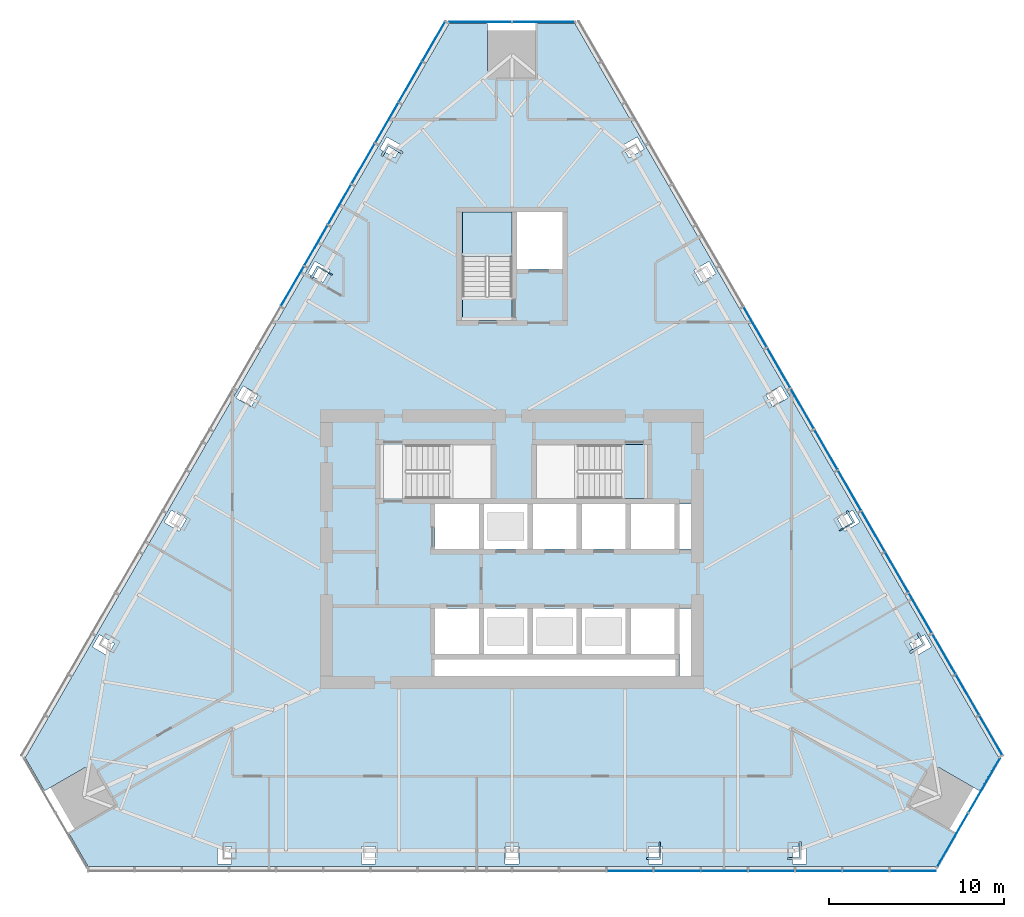
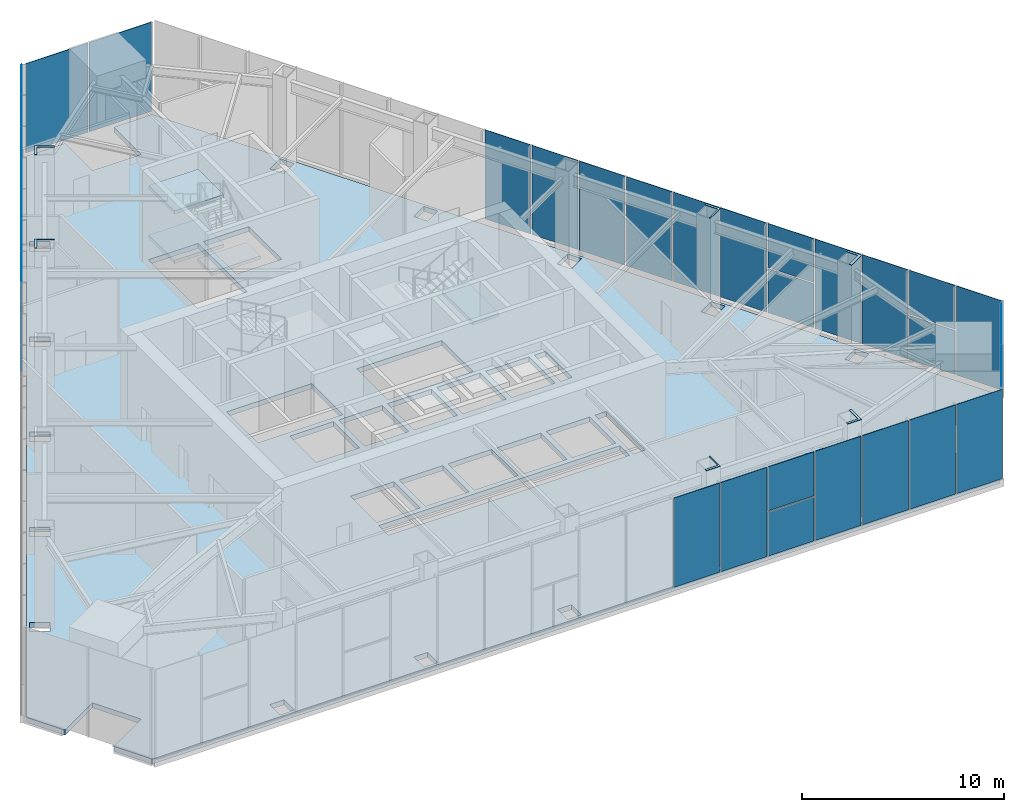
# One storey, part 9 of 16: 39 plates, 5 slabs, 7 elements without a shape of their own.
"""IFC4 building model written with IfcOpenShell, lengths in metres."""

from ifc_helpers import new_model, si_unit, direction, frame, origin, place, context, subcontext, project, spatial, polyline, outline, extrude, material, layer, layer_set, type_object, element, aggregate, save


model = new_model("IFC4")

# Units and contexts
model_context = context("Model", 3, precision=1e-05, world=origin(), true_north=direction((0.0, 1.0)))
body_context = subcontext(model_context, "Body", "Model", "MODEL_VIEW")
ifc_project = project(units=[si_unit("LENGTHUNIT", "METRE"), si_unit("AREAUNIT", "SQUARE_METRE"), si_unit("VOLUMEUNIT", "CUBIC_METRE"), si_unit("PLANEANGLEUNIT", "RADIAN"), si_unit("MASSUNIT", "GRAM", prefix="KILO")], contexts=[model_context])

# Site, building, storey
site_placement = place(None, origin())
site = spatial("IfcSite", under=ifc_project, at=site_placement, CompositionType="ELEMENT")
building_placement = place(site_placement, origin())
building = spatial("IfcBuilding", under=site, at=building_placement, Name="Firuza Gate Tower and Library", CompositionType="ELEMENT")
storey_placement = place(building_placement, frame((0.0, 0.0, 241.60009765625)))
storey = spatial("IfcBuildingStorey", under=building, at=storey_placement, Name="L57", CompositionType="ELEMENT", Elevation=241.60009765625)

# Plates
ifc_material_1 = material(Name="Steel S355", Category="steel")
ifc_layer_1 = layer(ifc_material_1, 0.030029296875)
ifc_layer_set_1 = layer_set([ifc_layer_1], Name="Column infill plate 30 Steel S355")
plate_type_1 = type_object("IfcPlateType", Name="Column infill plate 30 Steel S355", PredefinedType="SHEET", material=ifc_layer_set_1)
placement_1 = place(storey_placement, frame((0.0, 0.0, 6.0)))
element("IfcPlate", 1, at=placement_1, inside=storey, type_object=plate_type_1, Name="Infill plate L57:S4", PredefinedType="SHEET", context=body_context, shape_type="SweptSolid", body=[
    extrude(outline(polyline([(83.487548828125, 58.235107421875), (83.416748046875, 58.235107421875), (83.416748046875, 57.35791015625), (82.6875, 57.35791015625), (82.6875, 57.235107421875), (83.487548828125, 57.235107421875), (83.487548828125, 58.235107421875)])), origin(), (0.0, 0.0, 1.0), 0.02978515625),
])
element("IfcPlate", 2, at=placement_1, inside=storey, type_object=plate_type_1, Name="Infill plate L57:S5", PredefinedType="SHEET", context=body_context, shape_type="SweptSolid", body=[
    extrude(outline(polyline([(91.574951171875, 58.235107421875), (91.433349609375, 58.235107421875), (91.433349609375, 57.35791015625), (90.77490234375, 57.35791015625), (90.77490234375, 57.235107421875), (91.574951171875, 57.235107421875), (91.574951171875, 58.235107421875)])), origin(), (0.0, 0.0, 1.0), 0.02978515625),
])
element("IfcPlate", 3, at=placement_1, inside=storey, type_object=plate_type_1, Name="Infill plate L57:E1", PredefinedType="SHEET", context=body_context, shape_type="SweptSolid", body=[
    extrude(outline(polyline([(98.272216796875, 70.220947265625), (98.166015625, 70.15966796875), (98.495361328125, 69.58935546875), (97.7353515625, 69.150634765625), (97.80615234375, 69.028076171875), (98.67236328125, 69.528076171875), (98.272216796875, 70.220947265625)])), origin(), (0.0, 0.0, 1.0), 0.02978515625),
])
element("IfcPlate", 4, at=placement_1, inside=storey, type_object=plate_type_1, Name="Infill plate L57:E2", PredefinedType="SHEET", context=body_context, shape_type="SweptSolid", body=[
    extrude(outline(polyline([(94.228515625, 77.224853515625), (94.122314453125, 77.16357421875), (94.48681640625, 76.531982421875), (93.72705078125, 76.09326171875), (93.762451171875, 76.031982421875), (94.62841796875, 76.531982421875), (94.228515625, 77.224853515625)])), origin(), (0.0, 0.0, 1.0), 0.02978515625),
])
element("IfcPlate", 5, at=placement_1, inside=storey, type_object=plate_type_1, Name="Infill plate L57:W1", PredefinedType="SHEET", context=body_context, shape_type="SweptSolid", body=[
    extrude(outline(polyline([(67.502685546875, 97.5439453125), (67.60888671875, 97.482666015625), (67.93798828125, 98.052734375), (68.697998046875, 97.614013671875), (68.768798828125, 97.73681640625), (67.902587890625, 98.23681640625), (67.502685546875, 97.5439453125)])), origin(), (0.0, 0.0, 1.0), 0.02978515625),
])
element("IfcPlate", 6, at=placement_1, inside=storey, type_object=plate_type_1, Name="Infill plate L57:W2", PredefinedType="SHEET", context=body_context, shape_type="SweptSolid", body=[
    extrude(outline(polyline([(63.458984375, 90.5400390625), (63.565185546875, 90.478759765625), (63.9296875, 91.110107421875), (64.689453125, 90.67138671875), (64.724853515625, 90.732666015625), (63.85888671875, 91.232666015625), (63.458984375, 90.5400390625)])), origin(), (0.0, 0.0, 1.0), 0.02978515625),
])

# Slab
ifc_material_2 = material(Name="Concrete C40/50", Category="concrete")
ifc_layer_2 = layer(ifc_material_2, 0.300048828125)
ifc_layer_set_2 = layer_set([ifc_layer_2], Name="Composite floor slab 300 C40/50")
slab_type_1 = type_object("IfcSlabType", Name="Composite floor slab 300 C40/50", PredefinedType="FLOOR", material=ifc_layer_set_2)
slab_1_placement = place(storey_placement, frame((0.0, 0.0, -0.300048828125)))
element("IfcSlab", 7, at=slab_1_placement, inside=storey, type_object=slab_type_1, Name="Floor slab L57", PredefinedType="FLOOR", context=body_context, shape_type="SweptSolid", body=[
    extrude(outline(polyline([(99.262451171875, 56.835205078125), (100.3623046875, 58.740478515625), (98.00537109375, 60.101318359375), (99.4052734375, 62.526123046875), (101.762451171875, 61.165283203125), (102.8623046875, 63.070556640625), (78.60009765625, 105.09423828125), (76.39990234375, 105.09423828125), (76.39990234375, 102.37255859375), (73.60009765625, 102.37255859375), (73.60009765625, 105.09423828125), (71.39990234375, 105.09423828125), (47.1376953125, 63.070556640625), (48.237548828125, 61.165283203125), (50.5947265625, 62.526123046875), (51.99462890625, 60.101318359375), (49.6376953125, 58.740478515625), (50.737548828125, 56.835205078125), (99.262451171875, 56.835205078125)]), holes=[polyline([(58.14892578125, 56.99609375), (58.14892578125, 57.99609375), (58.948974609375, 57.99609375), (58.948974609375, 56.99609375), (58.14892578125, 56.99609375)]), polyline([(74.60009765625, 56.99609375), (74.60009765625, 57.99609375), (75.39990234375, 57.99609375), (75.39990234375, 56.99609375), (74.60009765625, 56.99609375)]), polyline([(66.37451171875, 56.99609375), (66.37451171875, 57.99609375), (67.174560546875, 57.99609375), (67.174560546875, 56.99609375), (66.37451171875, 56.99609375)]), polyline([(84.35009765625, 67.75), (70.550048828125, 67.75), (70.550048828125, 68.699951171875), (84.35009765625, 68.699951171875), (84.35009765625, 67.75)]), polyline([(51.382568359375, 70.101318359375), (52.24853515625, 69.601318359375), (51.8486328125, 68.908447265625), (50.982666015625, 69.408447265625), (51.382568359375, 70.101318359375)]), polyline([(73.10009765625, 69.0), (70.60009765625, 69.0), (70.60009765625, 71.60009765625), (73.10009765625, 71.60009765625), (73.10009765625, 69.0)]), polyline([(75.89990234375, 69.0), (73.39990234375, 69.0), (73.39990234375, 71.60009765625), (75.89990234375, 71.60009765625), (75.89990234375, 69.0)]), polyline([(73.10009765625, 75.0), (70.60009765625, 75.0), (70.60009765625, 77.60009765625), (73.10009765625, 77.60009765625), (73.10009765625, 75.0)]), polyline([(75.89990234375, 75.0), (73.39990234375, 75.0), (73.39990234375, 77.60009765625), (75.89990234375, 77.60009765625), (75.89990234375, 75.0)]), polyline([(55.495361328125, 77.224853515625), (56.361328125, 76.724853515625), (55.96142578125, 76.031982421875), (55.09521484375, 76.531982421875), (55.495361328125, 77.224853515625)]), polyline([(73.81005859375, 77.89990234375), (68.9404296875, 77.89990234375), (68.9404296875, 80.97998046875), (73.81005859375, 80.97998046875), (73.81005859375, 77.89990234375)]), polyline([(59.608154296875, 84.348388671875), (60.47412109375, 83.848388671875), (60.07421875, 83.155517578125), (59.2080078125, 83.655517578125), (59.608154296875, 84.348388671875)]), polyline([(63.720947265625, 91.471923828125), (64.5869140625, 90.971923828125), (64.18701171875, 90.279052734375), (63.32080078125, 90.779052734375), (63.720947265625, 91.471923828125)]), polyline([(72.159912109375, 89.470458984375), (72.159912109375, 94.300048828125), (75.0, 94.300048828125), (75.0, 89.470458984375), (72.159912109375, 89.470458984375)]), polyline([(75.300048828125, 91.050048828125), (75.300048828125, 94.300048828125), (77.89990234375, 94.300048828125), (77.89990234375, 91.050048828125), (75.300048828125, 91.050048828125)]), polyline([(68.69970703125, 98.095458984375), (68.299560546875, 97.402587890625), (67.43359375, 97.902587890625), (67.833740234375, 98.595458984375), (68.69970703125, 98.095458984375)]), polyline([(91.051025390625, 56.99609375), (91.051025390625, 57.99609375), (91.85107421875, 57.99609375), (91.85107421875, 56.99609375), (91.051025390625, 56.99609375)]), polyline([(82.825439453125, 56.99609375), (82.825439453125, 57.99609375), (83.62548828125, 57.99609375), (83.62548828125, 56.99609375), (82.825439453125, 56.99609375)]), polyline([(99.017333984375, 69.408447265625), (98.1513671875, 68.908447265625), (97.75146484375, 69.601318359375), (98.617431640625, 70.101318359375), (99.017333984375, 69.408447265625)]), polyline([(85.25, 67.75), (84.60009765625, 67.75), (84.60009765625, 71.60009765625), (85.25, 71.60009765625), (85.25, 67.75)]), polyline([(81.5, 69.0), (79.0, 69.0), (79.0, 71.60009765625), (81.5, 71.60009765625), (81.5, 69.0)]), polyline([(81.800048828125, 69.0), (81.800048828125, 71.60009765625), (84.300048828125, 71.60009765625), (84.300048828125, 69.0), (81.800048828125, 69.0)]), polyline([(76.199951171875, 69.0), (76.199951171875, 71.60009765625), (78.699951171875, 71.60009765625), (78.699951171875, 69.0), (76.199951171875, 69.0)]), polyline([(81.5, 75.0), (79.0, 75.0), (79.0, 77.60009765625), (81.5, 77.60009765625), (81.5, 75.0)]), polyline([(84.300048828125, 75.0), (81.800048828125, 75.0), (81.800048828125, 77.60009765625), (84.300048828125, 77.60009765625), (84.300048828125, 75.0)]), polyline([(85.25, 75.0), (84.60009765625, 75.0), (84.60009765625, 77.60009765625), (85.25, 77.60009765625), (85.25, 75.0)]), polyline([(78.699951171875, 75.0), (76.199951171875, 75.0), (76.199951171875, 77.60009765625), (78.699951171875, 77.60009765625), (78.699951171875, 75.0)]), polyline([(94.90478515625, 76.531982421875), (94.03857421875, 76.031982421875), (93.638671875, 76.724853515625), (94.504638671875, 77.224853515625), (94.90478515625, 76.531982421875)]), polyline([(81.259521484375, 77.89990234375), (76.389892578125, 77.89990234375), (76.389892578125, 80.97998046875), (81.259521484375, 80.97998046875), (81.259521484375, 77.89990234375)]), polyline([(90.7919921875, 83.655517578125), (89.92578125, 83.155517578125), (89.52587890625, 83.848388671875), (90.391845703125, 84.348388671875), (90.7919921875, 83.655517578125)]), polyline([(85.81298828125, 90.279052734375), (85.4130859375, 90.971923828125), (86.279052734375, 91.471923828125), (86.67919921875, 90.779052734375), (85.81298828125, 90.279052734375)]), polyline([(81.700439453125, 97.402587890625), (81.30029296875, 98.095458984375), (82.166259765625, 98.595458984375), (82.56640625, 97.902587890625), (81.700439453125, 97.402587890625)])]), origin(), (0.0, 0.0, 1.0), 0.300048828125),
])

# Curtain wall, plates
ifc_material_3 = material(Name="Aluminium 6063-T6", Category="aluminium")
ifc_layer_3 = layer(ifc_material_3, 0.14990234375)
ifc_layer_set_3 = layer_set([ifc_layer_3], Name="Corner curtain wall, chamfers")
curtain_wall_type_1 = type_object("IfcCurtainWallType", Name="Corner curtain wall, chamfers", PredefinedType="NOTDEFINED", material=ifc_layer_set_3)
placement_2 = place(storey_placement, origin())
curtain_wall_1 = element("IfcCurtainWall", 8, at=placement_2, inside=storey, type_object=curtain_wall_type_1, Name="CW4 L57 SE corner", PredefinedType="NOTDEFINED")
ifc_material_4 = material(Name="Fritted glass", Category="glass")
ifc_layer_4 = layer(ifc_material_4, 0.030029296875)
ifc_layer_set_4 = layer_set([ifc_layer_4], Name="Fritted glass unit, corners")
plate_type_2 = type_object("IfcPlateType", Name="Fritted glass unit, corners", PredefinedType="CURTAIN_PANEL", material=ifc_layer_set_4)
plate_7_placement = place(storey_placement, frame((99.338623046875, 56.787353515625, 0.14990234375), z_axis=(0.866016723041, -0.500015035186, 0.0), x_axis=(0.500015035186, 0.866016723041, 0.0)))
plate_7 = element("IfcPlate", 9, at=plate_7_placement, type_object=plate_type_2, Name="Glass unit", PredefinedType="CURTAIN_PANEL", context=body_context, shape_type="SweptSolid", body=[
    extrude(outline(polyline([(0.0, 0.0), (3.5633694106530625, 0.0), (3.5633694106530625, 5.39990234375), (0.0, 5.39990234375), (0.0, 0.0)])), origin(), (0.0, 0.0, -1.0), 0.030029296875),
])
plate_8_placement = place(storey_placement, frame((101.160400390625, 59.9423828125, 0.14990234375), z_axis=(0.866046390552, -0.49996364809, 0.0), x_axis=(0.49996364809, 0.866046390552, 0.0)))
plate_8 = element("IfcPlate", 10, at=plate_8_placement, type_object=plate_type_2, Name="Glass unit", PredefinedType="CURTAIN_PANEL", context=body_context, shape_type="SweptSolid", body=[
    extrude(outline(polyline([(0.0, 0.0), (3.563247342942594, 0.0), (3.563247342942594, 5.39990234375), (0.0, 5.39990234375), (0.0, 0.0)])), origin(), (0.0, 0.0, -1.0), 0.030029296875),
])
aggregate(curtain_wall_1, [plate_7, plate_8])

curtain_wall_2 = element("IfcCurtainWall", 11, at=placement_2, inside=storey, type_object=curtain_wall_type_1, Name="CW4 L57 N corner", PredefinedType="NOTDEFINED")
plate_9_placement = place(storey_placement, frame((78.603271484375, 105.184326171875, 0.14990234375), z_axis=(0.0, 1.0, 0.0), x_axis=(-1.0, 0.0, 0.0)))
plate_9 = element("IfcPlate", 12, at=plate_9_placement, type_object=plate_type_2, Name="Glass unit", PredefinedType="CURTAIN_PANEL", context=body_context, shape_type="SweptSolid", body=[
    extrude(outline(polyline([(0.0, 0.0), (3.563232421875, 0.0), (3.563232421875, 5.39990234375), (0.0, 5.39990234375), (0.0, 0.0)])), origin(), (0.0, 0.0, -1.0), 0.030029296875),
])
plate_10_placement = place(storey_placement, frame((74.9599609375, 105.184326171875, 0.14990234375), z_axis=(0.0, 1.0, 0.0), x_axis=(-1.0, 0.0, 0.0)))
plate_10 = element("IfcPlate", 13, at=plate_10_placement, type_object=plate_type_2, Name="Glass unit", PredefinedType="CURTAIN_PANEL", context=body_context, shape_type="SweptSolid", body=[
    extrude(outline(polyline([(0.0, 0.0), (3.563232421875, 0.0), (3.563232421875, 5.39990234375), (0.0, 5.39990234375), (0.0, 0.0)])), origin(), (0.0, 0.0, -1.0), 0.030029296875),
])
aggregate(curtain_wall_2, [plate_9, plate_10])

# Curtain wall, plate
ifc_material_5 = material(Name="Aluminium 6063-T6", Category="aluminium")
ifc_layer_5 = layer(ifc_material_5, 0.14990234375)
ifc_layer_set_5 = layer_set([ifc_layer_5], Name="Unitised curtain wall, hotel")
curtain_wall_type_2 = type_object("IfcCurtainWallType", Name="Unitised curtain wall, hotel", PredefinedType="NOTDEFINED", material=ifc_layer_set_5)
curtain_wall_3 = element("IfcCurtainWall", 14, at=placement_2, inside=storey, type_object=curtain_wall_type_2, Name="CW2 L57 S face", PredefinedType="NOTDEFINED")
ifc_material_6 = material(Name="Fritted glass", Category="glass")
ifc_layer_6 = layer(ifc_material_6, 0.030029296875)
ifc_layer_set_6 = layer_set([ifc_layer_6], Name="Fritted glass unit, hotel")
plate_type_3 = type_object("IfcPlateType", Name="Fritted glass unit, hotel", PredefinedType="CURTAIN_PANEL", material=ifc_layer_set_6)
plate_11_placement = place(storey_placement, frame((85.842529296875, 56.5751953125, 2.889892578125), z_axis=(0.0, -1.0, 0.0), x_axis=(1.0, 0.0, 0.0)))
plate_11 = element("IfcPlate", 15, at=plate_11_placement, type_object=plate_type_3, Name="Glass unit", PredefinedType="CURTAIN_PANEL", context=body_context, shape_type="SweptSolid", body=[
    extrude(outline(polyline([(0.0, 0.0), (2.62060546875, 0.0), (2.62060546875, 2.659912109375), (0.0, 2.659912109375), (0.0, 0.0)])), origin(), (0.0, 0.0, -1.0), 0.030029296875),
])

# Curtain wall, plates
curtain_wall_4 = element("IfcCurtainWall", 16, at=placement_2, inside=storey, type_object=curtain_wall_type_2, Name="CW2 L57 E face", PredefinedType="NOTDEFINED")
plate_12_placement = place(storey_placement, frame((101.739013671875, 65.53662109375, 2.889892578125), z_axis=(0.866027344229, 0.499996639036, 0.0), x_axis=(-0.499996639036, 0.866027344229, 0.0)))
plate_12 = element("IfcPlate", 17, at=plate_12_placement, type_object=plate_type_3, Name="Glass unit", PredefinedType="CURTAIN_PANEL", context=body_context, shape_type="SweptSolid", body=[
    extrude(outline(polyline([(0.0, 0.0), (2.6206230843898872, 0.0), (2.6206230843898872, 2.659912109375), (0.0, 2.659912109375), (0.0, 0.0)])), origin(), (0.0, 0.0, -1.0), 0.030029296875),
])
plate_13_placement = place(storey_placement, frame((97.68798828125, 72.552978515625, 2.889892578125), z_axis=(0.866027344229, 0.499996639036, 0.0), x_axis=(-0.499996639036, 0.866027344229, 0.0)))
plate_13 = element("IfcPlate", 18, at=plate_13_placement, type_object=plate_type_3, Name="Glass unit", PredefinedType="CURTAIN_PANEL", context=body_context, shape_type="SweptSolid", body=[
    extrude(outline(polyline([(0.0, 0.0), (2.6206230843898872, 0.0), (2.6206230843898872, 2.659912109375), (0.0, 2.659912109375), (0.0, 0.0)])), origin(), (0.0, 0.0, -1.0), 0.030029296875),
])

# Curtain wall, plate
curtain_wall_5 = element("IfcCurtainWall", 19, at=placement_2, inside=storey, type_object=curtain_wall_type_2, Name="CW2 L57 W face", PredefinedType="NOTDEFINED")
plate_14_placement = place(storey_placement, frame((69.826171875, 102.888427734375, 2.889892578125), z_axis=(-0.866027344229, 0.499996639036, 0.0), x_axis=(-0.499996639036, -0.866027344229, 0.0)))
plate_14 = element("IfcPlate", 20, at=plate_14_placement, type_object=plate_type_3, Name="Glass unit", PredefinedType="CURTAIN_PANEL", context=body_context, shape_type="SweptSolid", body=[
    extrude(outline(polyline([(0.0, 0.0), (2.6206230843898872, 0.0), (2.6206230843898872, 2.659912109375), (0.0, 2.659912109375), (0.0, 0.0)])), origin(), (0.0, 0.0, -1.0), 0.030029296875),
])

# Plate
ifc_material_7 = material(Name="Glazed ceramic tile")
ifc_layer_7 = layer(ifc_material_7, 0.030029296875)
ifc_layer_set_7 = layer_set([ifc_layer_7], Name="Opaque ceramic panel, hotel")
plate_type_4 = type_object("IfcPlateType", Name="Opaque ceramic panel, hotel", PredefinedType="CURTAIN_PANEL", material=ifc_layer_set_7)
plate_15_placement = place(storey_placement, frame((80.441162109375, 56.5751953125, 0.14990234375), z_axis=(0.0, -1.0, 0.0), x_axis=(1.0, 0.0, 0.0)))
plate_15 = element("IfcPlate", 21, at=plate_15_placement, type_object=plate_type_4, Name="Opaque ceramic panel", PredefinedType="CURTAIN_PANEL", context=body_context, shape_type="SweptSolid", body=[
    extrude(outline(polyline([(0.0, 0.0), (2.620849609375, 0.0), (2.620849609375, 5.39990234375), (0.0, 5.39990234375), (0.0, 0.0)])), origin(), (0.0, 0.0, -1.0), 0.030029296875),
])

plate_16_placement = place(storey_placement, frame((83.141845703125, 56.5751953125, 0.14990234375), z_axis=(0.0, -1.0, 0.0), x_axis=(1.0, 0.0, 0.0)))
plate_16 = element("IfcPlate", 22, at=plate_16_placement, type_object=plate_type_4, Name="Opaque ceramic panel", PredefinedType="CURTAIN_PANEL", context=body_context, shape_type="SweptSolid", body=[
    extrude(outline(polyline([(0.0, 0.0), (2.62060546875, 0.0), (2.62060546875, 5.39990234375), (0.0, 5.39990234375), (0.0, 0.0)])), origin(), (0.0, 0.0, -1.0), 0.030029296875),
])

plate_17_placement = place(storey_placement, frame((85.842529296875, 56.5751953125, 0.14990234375), z_axis=(0.0, -1.0, 0.0), x_axis=(1.0, 0.0, 0.0)))
plate_17 = element("IfcPlate", 23, at=plate_17_placement, type_object=plate_type_4, Name="Opaque ceramic panel", PredefinedType="CURTAIN_PANEL", context=body_context, shape_type="SweptSolid", body=[
    extrude(outline(polyline([(0.0, 0.0), (2.62060546875, 0.0), (2.62060546875, 2.659912109375), (0.0, 2.659912109375), (0.0, 0.0)])), origin(), (0.0, 0.0, -1.0), 0.030029296875),
])

plate_18_placement = place(storey_placement, frame((88.543212890625, 56.5751953125, 0.14990234375), z_axis=(0.0, -1.0, 0.0), x_axis=(1.0, 0.0, 0.0)))
plate_18 = element("IfcPlate", 24, at=plate_18_placement, type_object=plate_type_4, Name="Opaque ceramic panel", PredefinedType="CURTAIN_PANEL", context=body_context, shape_type="SweptSolid", body=[
    extrude(outline(polyline([(0.0, 0.0), (2.62060546875, 0.0), (2.62060546875, 5.39990234375), (0.0, 5.39990234375), (0.0, 0.0)])), origin(), (0.0, 0.0, -1.0), 0.030029296875),
])

plate_19_placement = place(storey_placement, frame((91.243896484375, 56.5751953125, 0.14990234375), z_axis=(0.0, -1.0, 0.0), x_axis=(1.0, 0.0, 0.0)))
plate_19 = element("IfcPlate", 25, at=plate_19_placement, type_object=plate_type_4, Name="Opaque ceramic panel", PredefinedType="CURTAIN_PANEL", context=body_context, shape_type="SweptSolid", body=[
    extrude(outline(polyline([(0.0, 0.0), (2.62060546875, 0.0), (2.62060546875, 5.39990234375), (0.0, 5.39990234375), (0.0, 0.0)])), origin(), (0.0, 0.0, -1.0), 0.030029296875),
])

plate_20_placement = place(storey_placement, frame((93.9443359375, 56.5751953125, 0.14990234375), z_axis=(0.0, -1.0, 0.0), x_axis=(1.0, 0.0, 0.0)))
plate_20 = element("IfcPlate", 26, at=plate_20_placement, type_object=plate_type_4, Name="Opaque ceramic panel", PredefinedType="CURTAIN_PANEL", context=body_context, shape_type="SweptSolid", body=[
    extrude(outline(polyline([(0.0, 0.0), (2.620849609375, 0.0), (2.620849609375, 5.39990234375), (0.0, 5.39990234375), (0.0, 0.0)])), origin(), (0.0, 0.0, -1.0), 0.030029296875),
])

plate_21_placement = place(storey_placement, frame((96.64501953125, 56.5751953125, 0.14990234375), z_axis=(0.0, -1.0, 0.0), x_axis=(1.0, 0.0, 0.0)))
plate_21 = element("IfcPlate", 27, at=plate_21_placement, type_object=plate_type_4, Name="Opaque ceramic panel", PredefinedType="CURTAIN_PANEL", context=body_context, shape_type="SweptSolid", body=[
    extrude(outline(polyline([(0.0, 0.0), (2.62060546875, 0.0), (2.62060546875, 5.39990234375), (0.0, 5.39990234375), (0.0, 0.0)])), origin(), (0.0, 0.0, -1.0), 0.030029296875),
])

aggregate(curtain_wall_3, [plate_15, plate_16, plate_17, plate_11, plate_18, plate_19, plate_20, plate_21])

plate_22_placement = place(storey_placement, frame((103.08935546875, 63.19775390625, 0.14990234375), z_axis=(0.865987003449, 0.500066505434, 0.0), x_axis=(-0.500066505434, 0.865987003449, 0.0)))
plate_22 = element("IfcPlate", 28, at=plate_22_placement, type_object=plate_type_4, Name="Opaque ceramic panel", PredefinedType="CURTAIN_PANEL", context=body_context, shape_type="SweptSolid", body=[
    extrude(outline(polyline([(0.0, 0.0), (2.620745162410651, 0.0), (2.620745162410651, 5.39990234375), (0.0, 5.39990234375), (0.0, 0.0)])), origin(), (0.0, 0.0, -1.0), 0.030029296875),
])

plate_23_placement = place(storey_placement, frame((101.739013671875, 65.53662109375, 0.14990234375), z_axis=(0.866027344229, 0.499996639036, 0.0), x_axis=(-0.499996639036, 0.866027344229, 0.0)))
plate_23 = element("IfcPlate", 29, at=plate_23_placement, type_object=plate_type_4, Name="Opaque ceramic panel", PredefinedType="CURTAIN_PANEL", context=body_context, shape_type="SweptSolid", body=[
    extrude(outline(polyline([(0.0, 0.0), (2.6206230843898872, 0.0), (2.6206230843898872, 2.659912109375), (0.0, 2.659912109375), (0.0, 0.0)])), origin(), (0.0, 0.0, -1.0), 0.030029296875),
])

plate_24_placement = place(storey_placement, frame((100.388671875, 67.875244140625, 0.14990234375), z_axis=(0.866027344229, 0.499996639036, 0.0), x_axis=(-0.499996639036, 0.866027344229, 0.0)))
plate_24 = element("IfcPlate", 30, at=plate_24_placement, type_object=plate_type_4, Name="Opaque ceramic panel", PredefinedType="CURTAIN_PANEL", context=body_context, shape_type="SweptSolid", body=[
    extrude(outline(polyline([(0.0, 0.0), (2.6206230843898872, 0.0), (2.6206230843898872, 5.39990234375), (0.0, 5.39990234375), (0.0, 0.0)])), origin(), (0.0, 0.0, -1.0), 0.030029296875),
])

plate_25_placement = place(storey_placement, frame((99.038330078125, 70.214111328125, 0.14990234375), z_axis=(0.866027344229, 0.499996639036, 0.0), x_axis=(-0.499996639036, 0.866027344229, 0.0)))
plate_25 = element("IfcPlate", 31, at=plate_25_placement, type_object=plate_type_4, Name="Opaque ceramic panel", PredefinedType="CURTAIN_PANEL", context=body_context, shape_type="SweptSolid", body=[
    extrude(outline(polyline([(0.0, 0.0), (2.6206230843898872, 0.0), (2.6206230843898872, 5.39990234375), (0.0, 5.39990234375), (0.0, 0.0)])), origin(), (0.0, 0.0, -1.0), 0.030029296875),
])

plate_26_placement = place(storey_placement, frame((97.68798828125, 72.552978515625, 0.14990234375), z_axis=(0.866027344229, 0.499996639036, 0.0), x_axis=(-0.499996639036, 0.866027344229, 0.0)))
plate_26 = element("IfcPlate", 32, at=plate_26_placement, type_object=plate_type_4, Name="Opaque ceramic panel", PredefinedType="CURTAIN_PANEL", context=body_context, shape_type="SweptSolid", body=[
    extrude(outline(polyline([(0.0, 0.0), (2.6206230843898872, 0.0), (2.6206230843898872, 2.659912109375), (0.0, 2.659912109375), (0.0, 0.0)])), origin(), (0.0, 0.0, -1.0), 0.030029296875),
])

plate_27_placement = place(storey_placement, frame((96.337646484375, 74.891845703125, 0.14990234375), z_axis=(0.866027344229, 0.499996639036, 0.0), x_axis=(-0.499996639036, 0.866027344229, 0.0)))
plate_27 = element("IfcPlate", 33, at=plate_27_placement, type_object=plate_type_4, Name="Opaque ceramic panel", PredefinedType="CURTAIN_PANEL", context=body_context, shape_type="SweptSolid", body=[
    extrude(outline(polyline([(0.0, 0.0), (2.6206230843898872, 0.0), (2.6206230843898872, 5.39990234375), (0.0, 5.39990234375), (0.0, 0.0)])), origin(), (0.0, 0.0, -1.0), 0.030029296875),
])

plate_28_placement = place(storey_placement, frame((94.9873046875, 77.230712890625, 0.14990234375), z_axis=(0.866027344229, 0.499996639036, 0.0), x_axis=(-0.499996639036, 0.866027344229, 0.0)))
plate_28 = element("IfcPlate", 34, at=plate_28_placement, type_object=plate_type_4, Name="Opaque ceramic panel", PredefinedType="CURTAIN_PANEL", context=body_context, shape_type="SweptSolid", body=[
    extrude(outline(polyline([(0.0, 0.0), (2.6206230843898872, 0.0), (2.6206230843898872, 5.39990234375), (0.0, 5.39990234375), (0.0, 0.0)])), origin(), (0.0, 0.0, -1.0), 0.030029296875),
])

plate_29_placement = place(storey_placement, frame((93.636962890625, 79.5693359375, 0.14990234375), z_axis=(0.866027344229, 0.499996639036, 0.0), x_axis=(-0.499996639036, 0.866027344229, 0.0)))
plate_29 = element("IfcPlate", 35, at=plate_29_placement, type_object=plate_type_4, Name="Opaque ceramic panel", PredefinedType="CURTAIN_PANEL", context=body_context, shape_type="SweptSolid", body=[
    extrude(outline(polyline([(0.0, 0.0), (2.6206230843898872, 0.0), (2.6206230843898872, 5.39990234375), (0.0, 5.39990234375), (0.0, 0.0)])), origin(), (0.0, 0.0, -1.0), 0.030029296875),
])

plate_30_placement = place(storey_placement, frame((92.28662109375, 81.908203125, 0.14990234375), z_axis=(0.866027344229, 0.499996639036, 0.0), x_axis=(-0.499996639036, 0.866027344229, 0.0)))
plate_30 = element("IfcPlate", 36, at=plate_30_placement, type_object=plate_type_4, Name="Opaque ceramic panel", PredefinedType="CURTAIN_PANEL", context=body_context, shape_type="SweptSolid", body=[
    extrude(outline(polyline([(0.0, 0.0), (2.6206230843898872, 0.0), (2.6206230843898872, 5.39990234375), (0.0, 5.39990234375), (0.0, 0.0)])), origin(), (0.0, 0.0, -1.0), 0.030029296875),
])

plate_31_placement = place(storey_placement, frame((90.936279296875, 84.2470703125, 0.14990234375), z_axis=(0.866027344229, 0.499996639036, 0.0), x_axis=(-0.499996639036, 0.866027344229, 0.0)))
plate_31 = element("IfcPlate", 37, at=plate_31_placement, type_object=plate_type_4, Name="Opaque ceramic panel", PredefinedType="CURTAIN_PANEL", context=body_context, shape_type="SweptSolid", body=[
    extrude(outline(polyline([(0.0, 0.0), (2.6206230843898872, 0.0), (2.6206230843898872, 5.39990234375), (0.0, 5.39990234375), (0.0, 0.0)])), origin(), (0.0, 0.0, -1.0), 0.030029296875),
])

plate_32_placement = place(storey_placement, frame((89.5859375, 86.5859375, 0.14990234375), z_axis=(0.866027344229, 0.499996639036, 0.0), x_axis=(-0.499996639036, 0.866027344229, 0.0)))
plate_32 = element("IfcPlate", 38, at=plate_32_placement, type_object=plate_type_4, Name="Opaque ceramic panel", PredefinedType="CURTAIN_PANEL", context=body_context, shape_type="SweptSolid", body=[
    extrude(outline(polyline([(0.0, 0.0), (2.6206230843898872, 0.0), (2.6206230843898872, 5.39990234375), (0.0, 5.39990234375), (0.0, 0.0)])), origin(), (0.0, 0.0, -1.0), 0.030029296875),
])

aggregate(curtain_wall_4, [plate_22, plate_23, plate_12, plate_24, plate_25, plate_26, plate_13, plate_27, plate_28, plate_29, plate_30, plate_31, plate_32])

plate_33_placement = place(storey_placement, frame((71.176513671875, 105.22705078125, 0.14990234375), z_axis=(-0.866027344229, 0.499996639036, 0.0), x_axis=(-0.499996639036, -0.866027344229, 0.0)))
plate_33 = element("IfcPlate", 39, at=plate_33_placement, type_object=plate_type_4, Name="Opaque ceramic panel", PredefinedType="CURTAIN_PANEL", context=body_context, shape_type="SweptSolid", body=[
    extrude(outline(polyline([(0.0, 0.0), (2.6206230843898872, 0.0), (2.6206230843898872, 5.39990234375), (0.0, 5.39990234375), (0.0, 0.0)])), origin(), (0.0, 0.0, -1.0), 0.030029296875),
])

plate_34_placement = place(storey_placement, frame((69.826171875, 102.888427734375, 0.14990234375), z_axis=(-0.866027344229, 0.499996639036, 0.0), x_axis=(-0.499996639036, -0.866027344229, 0.0)))
plate_34 = element("IfcPlate", 40, at=plate_34_placement, type_object=plate_type_4, Name="Opaque ceramic panel", PredefinedType="CURTAIN_PANEL", context=body_context, shape_type="SweptSolid", body=[
    extrude(outline(polyline([(0.0, 0.0), (2.6206230843898872, 0.0), (2.6206230843898872, 2.659912109375), (0.0, 2.659912109375), (0.0, 0.0)])), origin(), (0.0, 0.0, -1.0), 0.030029296875),
])

plate_35_placement = place(storey_placement, frame((68.475830078125, 100.549560546875, 0.14990234375), z_axis=(-0.866027344229, 0.499996639036, 0.0), x_axis=(-0.499996639036, -0.866027344229, 0.0)))
plate_35 = element("IfcPlate", 41, at=plate_35_placement, type_object=plate_type_4, Name="Opaque ceramic panel", PredefinedType="CURTAIN_PANEL", context=body_context, shape_type="SweptSolid", body=[
    extrude(outline(polyline([(0.0, 0.0), (2.6206230843898872, 0.0), (2.6206230843898872, 5.39990234375), (0.0, 5.39990234375), (0.0, 0.0)])), origin(), (0.0, 0.0, -1.0), 0.030029296875),
])

plate_36_placement = place(storey_placement, frame((67.12548828125, 98.210693359375, 0.14990234375), z_axis=(-0.866027344229, 0.499996639036, 0.0), x_axis=(-0.499996639036, -0.866027344229, 0.0)))
plate_36 = element("IfcPlate", 42, at=plate_36_placement, type_object=plate_type_4, Name="Opaque ceramic panel", PredefinedType="CURTAIN_PANEL", context=body_context, shape_type="SweptSolid", body=[
    extrude(outline(polyline([(0.0, 0.0), (2.6206230843898872, 0.0), (2.6206230843898872, 5.39990234375), (0.0, 5.39990234375), (0.0, 0.0)])), origin(), (0.0, 0.0, -1.0), 0.030029296875),
])

plate_37_placement = place(storey_placement, frame((65.775146484375, 95.871826171875, 0.14990234375), z_axis=(-0.866027344229, 0.499996639036, 0.0), x_axis=(-0.499996639036, -0.866027344229, 0.0)))
plate_37 = element("IfcPlate", 43, at=plate_37_placement, type_object=plate_type_4, Name="Opaque ceramic panel", PredefinedType="CURTAIN_PANEL", context=body_context, shape_type="SweptSolid", body=[
    extrude(outline(polyline([(0.0, 0.0), (2.6206230843898872, 0.0), (2.6206230843898872, 5.39990234375), (0.0, 5.39990234375), (0.0, 0.0)])), origin(), (0.0, 0.0, -1.0), 0.030029296875),
])

plate_38_placement = place(storey_placement, frame((64.4248046875, 93.532958984375, 0.14990234375), z_axis=(-0.866027344229, 0.499996639036, 0.0), x_axis=(-0.499996639036, -0.866027344229, 0.0)))
plate_38 = element("IfcPlate", 44, at=plate_38_placement, type_object=plate_type_4, Name="Opaque ceramic panel", PredefinedType="CURTAIN_PANEL", context=body_context, shape_type="SweptSolid", body=[
    extrude(outline(polyline([(0.0, 0.0), (2.6206230843898872, 0.0), (2.6206230843898872, 5.39990234375), (0.0, 5.39990234375), (0.0, 0.0)])), origin(), (0.0, 0.0, -1.0), 0.030029296875),
])

plate_39_placement = place(storey_placement, frame((63.074462890625, 91.1943359375, 0.14990234375), z_axis=(-0.866027344229, 0.499996639036, 0.0), x_axis=(-0.499996639036, -0.866027344229, 0.0)))
plate_39 = element("IfcPlate", 45, at=plate_39_placement, type_object=plate_type_4, Name="Opaque ceramic panel", PredefinedType="CURTAIN_PANEL", context=body_context, shape_type="SweptSolid", body=[
    extrude(outline(polyline([(0.0, 0.0), (2.6206230843898872, 0.0), (2.6206230843898872, 5.39990234375), (0.0, 5.39990234375), (0.0, 0.0)])), origin(), (0.0, 0.0, -1.0), 0.030029296875),
])

aggregate(curtain_wall_5, [plate_33, plate_34, plate_14, plate_35, plate_36, plate_37, plate_38, plate_39])

# Stair, slab
ifc_material_8 = material(Name="Concrete C35/45", Category="concrete")
stair_type_1 = type_object("IfcStairType", Name="Exit stair ST6", PredefinedType="HALF_TURN_STAIR", material=ifc_material_8)
stair_1 = element("IfcStair", 46, at=placement_2, inside=storey, type_object=stair_type_1, Name="L57 Stair ST2", PredefinedType="HALF_TURN_STAIR")
ifc_material_9 = material(Name="Concrete C35/45", Category="concrete")
ifc_layer_8 = layer(ifc_material_9, 0.199951171875)
ifc_layer_set_8 = layer_set([ifc_layer_8], Name="Stair landing 200")
slab_type_2 = type_object("IfcSlabType", Name="Stair landing 200", PredefinedType="LANDING", material=ifc_layer_set_8)
placement_3 = place(storey_placement, frame((0.0, 0.0, 2.7998046875)))
slab_2 = element("IfcSlab", 47, at=placement_3, type_object=slab_type_2, Name="ST2 landing 2", PredefinedType="LANDING", context=body_context, shape_type="SweptSolid", body=[
    extrude(outline(polyline([(82.75, 80.97998046875), (81.260009765625, 80.97998046875), (81.260009765625, 77.89990234375), (82.75, 77.89990234375), (82.75, 80.97998046875)])), origin(), (0.0, 0.0, 1.0), 0.2001953125),
])
aggregate(stair_1, [slab_2])

# Stair, slabs
ifc_material_10 = material(Name="Concrete C35/45", Category="concrete")
stair_type_2 = type_object("IfcStairType", Name="Exit stair ST15", PredefinedType="HALF_TURN_STAIR", material=ifc_material_10)
stair_2 = element("IfcStair", 48, at=placement_2, inside=storey, type_object=stair_type_2, Name="L57 Stair ST3", PredefinedType="HALF_TURN_STAIR")
slab_3_placement = place(storey_placement, frame((0.0, 0.0, 1.2998046875)))
slab_3 = element("IfcSlab", 49, at=slab_3_placement, type_object=slab_type_2, Name="ST3 landing 1", PredefinedType="LANDING", context=body_context, shape_type="SweptSolid", body=[
    extrude(outline(polyline([(75.0, 91.75), (75.0, 94.300048828125), (72.159912109375, 94.300048828125), (72.159912109375, 91.75), (75.0, 91.75)])), origin(), (0.0, 0.0, 1.0), 0.2001953125),
])
slab_4 = element("IfcSlab", 50, at=placement_3, type_object=slab_type_2, Name="ST3 landing 2", PredefinedType="LANDING", context=body_context, shape_type="SweptSolid", body=[
    extrude(outline(polyline([(75.0, 88.10009765625), (75.0, 89.469970703125), (72.159912109375, 89.469970703125), (72.159912109375, 88.10009765625), (75.0, 88.10009765625)])), origin(), (0.0, 0.0, 1.0), 0.2001953125),
])
slab_5_placement = place(storey_placement, frame((0.0, 0.0, 4.2998046875)))
slab_5 = element("IfcSlab", 51, at=slab_5_placement, type_object=slab_type_2, Name="ST3 landing 3", PredefinedType="LANDING", context=body_context, shape_type="SweptSolid", body=[
    extrude(outline(polyline([(75.0, 91.75), (75.0, 94.300048828125), (72.159912109375, 94.300048828125), (72.159912109375, 91.75), (75.0, 91.75)])), origin(), (0.0, 0.0, 1.0), 0.2001953125),
])
aggregate(stair_2, [slab_3, slab_4, slab_5])

save(model, "model.ifc")
